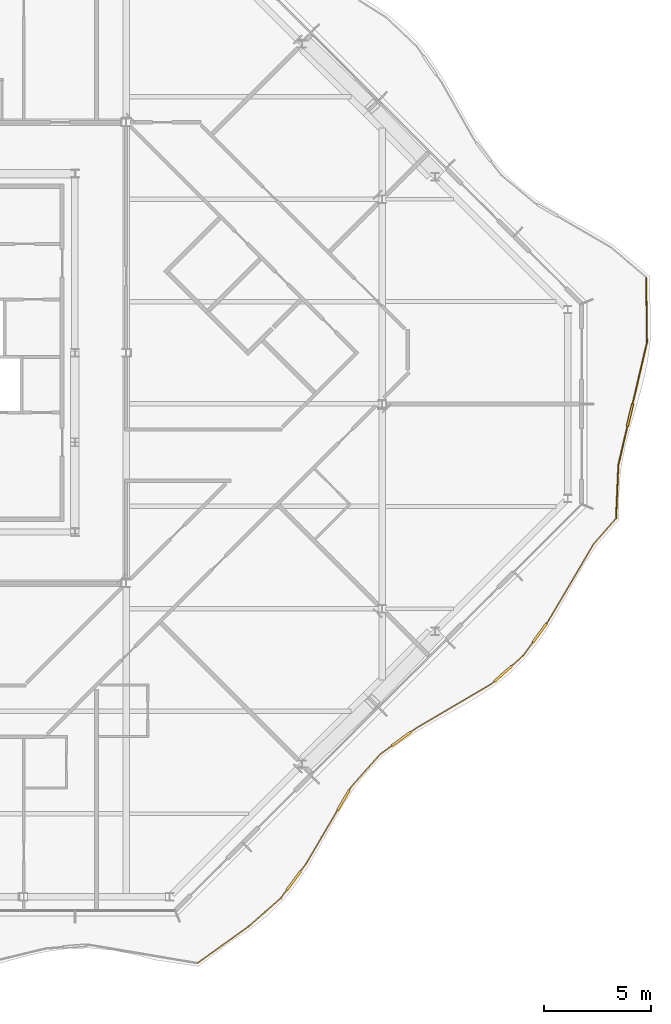
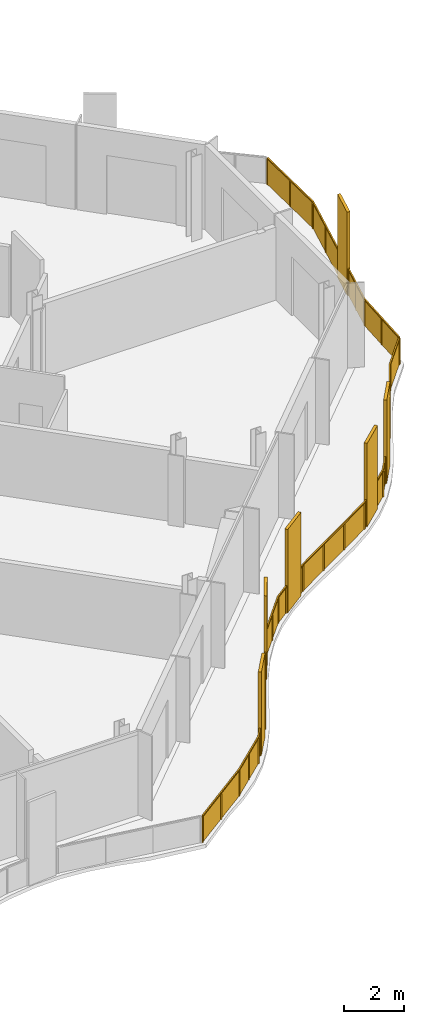
# One storey, part 14 of 16: 2 railings.
"""IFC4 building model written with IfcOpenShell, lengths in metres."""

from ifc_helpers import new_model, si_unit, direction, frame, origin, origin_2d, place, context, subcontext, project, spatial, polyline, rectangle, outline, extrude, material, type_object, element, save


model = new_model("IFC4")

# Units and contexts
model_context = context("Model", 3, precision=1e-05, world=origin(), true_north=direction((0.0, 1.0)))
body_context = subcontext(model_context, "Body", "Model", "MODEL_VIEW")
ifc_project = project(units=[si_unit("LENGTHUNIT", "METRE"), si_unit("AREAUNIT", "SQUARE_METRE"), si_unit("VOLUMEUNIT", "CUBIC_METRE"), si_unit("PLANEANGLEUNIT", "RADIAN"), si_unit("MASSUNIT", "GRAM", prefix="KILO")], contexts=[model_context])

# Site, building, storey
site_placement = place(None, origin())
site = spatial("IfcSite", under=ifc_project, at=site_placement, CompositionType="ELEMENT")
building_placement = place(site_placement, origin())
building = spatial("IfcBuilding", under=site, at=building_placement, Name="Cairn Pilgrim Tower", CompositionType="ELEMENT")
storey_placement = place(building_placement, frame((0.0, 0.0, 285.0)))
storey = spatial("IfcBuildingStorey", under=building, at=storey_placement, Name="L73", CompositionType="ELEMENT", Elevation=285.0)

# Railings
ifc_material = material(Name="Bronze anodised aluminium rail, posts and fin screens with laminated glass infill", Category="aluminium")
railing_type = type_object("IfcRailingType", Name="BALCONY GUARD WITH FIN SCREENS", PredefinedType="GUARDRAIL", material=ifc_material)
railing_1_placement = place(storey_placement, frame((22.5439453125, -26.208984375, 0.0)))
element("IfcRailing", 1, at=railing_1_placement, inside=storey, type_object=railing_type, Name="Balcony guard BGF-2 with fin screens", PredefinedType="GUARDRAIL", context=body_context, shape_type="SweptSolid", body=[
    extrude(rectangle(XDim=0.050048828125, YDim=0.050048828125, at=origin_2d()), frame((0.0, 0.0, 1.0751953125), z_axis=(0.812366784735, 0.583146814326, 0.0), x_axis=(-0.583146814326, 0.812366784735, 0.0)), (0.0, 0.0, 1.0), 2.9619140625),
    extrude(rectangle(XDim=0.050048828125, YDim=0.050048828125, at=origin_2d()), frame((2.40625, 1.727294921875, 1.0751953125), z_axis=(0.751573603464, 0.659649239048, 0.0), x_axis=(-0.659649239048, 0.751573603464, 0.0)), (0.0, 0.0, 1.0), 1.991943359375),
    extrude(rectangle(XDim=1.10009765625, YDim=0.110107421875, at=origin_2d()), frame((4.51806640625, 3.877685546875, 0.0), z_axis=(0.0, 0.0, 1.0), x_axis=(0.592279184354, 0.805732814139, 0.0)), (0.0, 0.0, 1.0), 3.39990234375),
    extrude(rectangle(XDim=0.050048828125, YDim=0.050048828125, at=origin_2d()), frame((3.9033203125, 3.041259765625, 1.0751953125), z_axis=(0.592279184354, 0.805732814139, 0.0), x_axis=(-0.805732814139, 0.592279184354, 0.0)), (0.0, 0.0, 1.0), 0.488037109375),
    extrude(rectangle(XDim=0.050048828125, YDim=0.050048828125, at=origin_2d()), frame((4.84375, 4.32080078125, 1.0751953125), z_axis=(0.592279184354, 0.805732814139, 0.0), x_axis=(-0.805732814139, 0.592279184354, 0.0)), (0.0, 0.0, 1.0), 0.4228515625),
    extrude(rectangle(XDim=1.10009765625, YDim=0.110107421875, at=origin_2d()), frame((6.84619140625, 7.649658203125, 0.0), z_axis=(0.0, 0.0, 1.0), x_axis=(0.505769155406, 0.862668859667, 0.0)), (0.0, 0.0, 1.0), 3.39990234375),
    extrude(rectangle(XDim=0.050048828125, YDim=0.050048828125, at=origin_2d()), frame((5.09423828125, 4.661376953125, 1.0751953125), z_axis=(0.505769155406, 0.862668859667, 0.0), x_axis=(-0.862668859667, 0.505769155406, 0.0)), (0.0, 0.0, 1.0), 2.9140625),
    extrude(rectangle(XDim=0.050048828125, YDim=0.050048828125, at=origin_2d()), frame((7.12451171875, 8.124267578125, 1.0751953125), z_axis=(0.505769155406, 0.862668859667, 0.0), x_axis=(-0.862668859667, 0.505769155406, 0.0)), (0.0, 0.0, 1.0), 0.14990234375),
    extrude(rectangle(XDim=0.050048828125, YDim=0.050048828125, at=origin_2d()), frame((7.2001953125, 8.25341796875, 1.0751953125), z_axis=(0.663415333149, 0.748251358665, 0.0), x_axis=(-0.748251358665, 0.663415333149, 0.0)), (0.0, 0.0, 1.0), 2.046142578125),
    extrude(rectangle(XDim=1.10009765625, YDim=0.110107421875, at=origin_2d()), frame((9.55419921875, 10.5107421875, 0.0), z_axis=(0.0, 0.0, 1.0), x_axis=(0.808161528081, 0.588960902378, 0.0)), (0.0, 0.0, 1.0), 3.39990234375),
    extrude(rectangle(XDim=0.050048828125, YDim=0.050048828125, at=origin_2d()), frame((8.5576171875, 9.784423828125, 1.0751953125), z_axis=(0.808161528081, 0.588960902378, 0.0), x_axis=(-0.588960902378, 0.808161528081, 0.0)), (0.0, 0.0, 1.0), 0.68310546875),
    extrude(rectangle(XDim=0.050048828125, YDim=0.050048828125, at=origin_2d()), frame((9.998779296875, 10.834716796875, 1.0751953125), z_axis=(0.808161528081, 0.588960902378, 0.0), x_axis=(-0.588960902378, 0.808161528081, 0.0)), (0.0, 0.0, 1.0), 0.276123046875),
    extrude(rectangle(XDim=0.050048828125, YDim=0.050048828125, at=origin_2d()), frame((10.221923828125, 10.997314453125, 1.0751953125), z_axis=(0.862253228377, 0.50647741327, 0.0), x_axis=(-0.50647741327, 0.862253228377, 0.0)), (0.0, 0.0, 1.0), 4.14892578125),
    extrude(rectangle(XDim=1.10009765625, YDim=0.110107421875, at=origin_2d()), frame((14.32080078125, 13.565673828125, 0.0), z_axis=(0.0, 0.0, 1.0), x_axis=(0.744993360168, 0.667071880164, 0.0)), (0.0, 0.0, 1.0), 3.39990234375),
    extrude(rectangle(XDim=0.050048828125, YDim=0.050048828125, at=origin_2d()), frame((13.79931640625, 13.0986328125, 1.0751953125), z_axis=(0.744993360168, 0.667071880164, 0.0), x_axis=(-0.667071880164, 0.744993360168, 0.0)), (0.0, 0.0, 1.0), 0.14990234375),
    extrude(rectangle(XDim=0.050048828125, YDim=0.050048828125, at=origin_2d()), frame((14.73046875, 13.932373046875, 1.0751953125), z_axis=(0.744993360168, 0.667071880164, 0.0), x_axis=(-0.667071880164, 0.744993360168, 0.0)), (0.0, 0.0, 1.0), 0.7333984375),
    extrude(rectangle(XDim=1.10009765625, YDim=0.110107421875, at=origin_2d()), frame((16.046142578125, 15.48681640625, 0.0), z_axis=(0.0, 0.0, 1.0), x_axis=(0.58553038865, 0.810650457329, 0.0)), (0.0, 0.0, 1.0), 3.39990234375),
    extrude(rectangle(XDim=0.050048828125, YDim=0.050048828125, at=origin_2d()), frame((15.27685546875, 14.421630859375, 1.0751953125), z_axis=(0.58553038865, 0.810650457329, 0.0), x_axis=(-0.810650457329, 0.58553038865, 0.0)), (0.0, 0.0, 1.0), 0.763916015625),
    extrude(rectangle(XDim=0.050048828125, YDim=0.050048828125, at=origin_2d()), frame((16.3681640625, 15.9326171875, 1.0751953125), z_axis=(0.58553038865, 0.810650457329, 0.0), x_axis=(-0.810650457329, 0.58553038865, 0.0)), (0.0, 0.0, 1.0), 0.14990234375),
    extrude(rectangle(XDim=0.050048828125, YDim=0.050048828125, at=origin_2d()), frame((16.4560546875, 16.05419921875, 1.0751953125), z_axis=(0.507214913746, 0.861819604832, 0.0), x_axis=(-0.861819604832, 0.507214913746, 0.0)), (0.0, 0.0, 1.0), 4.16259765625),
    extrude(rectangle(XDim=0.050048828125, YDim=0.050048828125, at=origin_2d()), frame((18.5673828125, 19.6416015625, 1.0751953125), z_axis=(0.659359050931, 0.751828199761, 0.0), x_axis=(-0.751828199761, 0.659359050931, 0.0)), (0.0, 0.0, 1.0), 1.53662109375),
    extrude(rectangle(XDim=0.050048828125, YDim=0.050048828125, at=origin_2d()), origin(), (0.0, 0.0, 1.0), 1.050048828125),
    extrude(rectangle(XDim=0.050048828125, YDim=0.050048828125, at=origin_2d()), frame((1.203125, 0.86376953125, 0.0)), (0.0, 0.0, 1.0), 1.050048828125),
    extrude(rectangle(XDim=0.050048828125, YDim=0.050048828125, at=origin_2d()), frame((2.40625, 1.727294921875, 0.0)), (0.0, 0.0, 1.0), 1.050048828125),
    extrude(rectangle(XDim=0.050048828125, YDim=0.050048828125, at=origin_2d()), frame((3.15478515625, 2.38427734375, 0.0)), (0.0, 0.0, 1.0), 1.050048828125),
    extrude(rectangle(XDim=0.050048828125, YDim=0.050048828125, at=origin_2d()), frame((3.9033203125, 3.041259765625, 0.0)), (0.0, 0.0, 1.0), 1.050048828125),
    extrude(rectangle(XDim=0.050048828125, YDim=0.050048828125, at=origin_2d()), frame((4.177490234375, 3.414306640625, 0.0)), (0.0, 0.0, 1.0), 1.050048828125),
    extrude(rectangle(XDim=0.050048828125, YDim=0.050048828125, at=origin_2d()), frame((4.858642578125, 4.3408203125, 0.0)), (0.0, 0.0, 1.0), 1.050048828125),
    extrude(rectangle(XDim=0.050048828125, YDim=0.050048828125, at=origin_2d()), frame((5.09423828125, 4.661376953125, 0.0)), (0.0, 0.0, 1.0), 1.050048828125),
    extrude(rectangle(XDim=0.050048828125, YDim=0.050048828125, at=origin_2d()), frame((5.82470703125, 5.907470703125, 0.0)), (0.0, 0.0, 1.0), 1.050048828125),
    extrude(rectangle(XDim=0.050048828125, YDim=0.050048828125, at=origin_2d()), frame((6.555419921875, 7.153564453125, 0.0)), (0.0, 0.0, 1.0), 1.050048828125),
    extrude(rectangle(XDim=0.050048828125, YDim=0.050048828125, at=origin_2d()), frame((7.136962890625, 8.145751953125, 0.0)), (0.0, 0.0, 1.0), 1.050048828125),
    extrude(rectangle(XDim=0.050048828125, YDim=0.050048828125, at=origin_2d()), frame((7.2001953125, 8.25341796875, 0.0)), (0.0, 0.0, 1.0), 1.050048828125),
    extrude(rectangle(XDim=0.050048828125, YDim=0.050048828125, at=origin_2d()), frame((7.87890625, 9.01904296875, 0.0)), (0.0, 0.0, 1.0), 1.050048828125),
    extrude(rectangle(XDim=0.050048828125, YDim=0.050048828125, at=origin_2d()), frame((8.5576171875, 9.784423828125, 0.0)), (0.0, 0.0, 1.0), 1.050048828125),
    extrude(rectangle(XDim=0.050048828125, YDim=0.050048828125, at=origin_2d()), frame((9.089599609375, 10.172119140625, 0.0)), (0.0, 0.0, 1.0), 1.050048828125),
    extrude(rectangle(XDim=0.050048828125, YDim=0.050048828125, at=origin_2d()), frame((10.018798828125, 10.849365234375, 0.0)), (0.0, 0.0, 1.0), 1.050048828125),
    extrude(rectangle(XDim=0.050048828125, YDim=0.050048828125, at=origin_2d()), frame((10.221923828125, 10.997314453125, 0.0)), (0.0, 0.0, 1.0), 1.050048828125),
    extrude(rectangle(XDim=0.050048828125, YDim=0.050048828125, at=origin_2d()), frame((11.414306640625, 11.69775390625, 0.0)), (0.0, 0.0, 1.0), 1.050048828125),
    extrude(rectangle(XDim=0.050048828125, YDim=0.050048828125, at=origin_2d()), frame((12.60693359375, 12.398193359375, 0.0)), (0.0, 0.0, 1.0), 1.050048828125),
    extrude(rectangle(XDim=0.050048828125, YDim=0.050048828125, at=origin_2d()), frame((13.79931640625, 13.0986328125, 0.0)), (0.0, 0.0, 1.0), 1.050048828125),
    extrude(rectangle(XDim=0.050048828125, YDim=0.050048828125, at=origin_2d()), frame((13.892333984375, 13.181884765625, 0.0)), (0.0, 0.0, 1.0), 1.050048828125),
    extrude(rectangle(XDim=0.050048828125, YDim=0.050048828125, at=origin_2d()), frame((14.749267578125, 13.94921875, 0.0)), (0.0, 0.0, 1.0), 1.050048828125),
    extrude(rectangle(XDim=0.050048828125, YDim=0.050048828125, at=origin_2d()), frame((15.27685546875, 14.421630859375, 0.0)), (0.0, 0.0, 1.0), 1.050048828125),
    extrude(rectangle(XDim=0.050048828125, YDim=0.050048828125, at=origin_2d()), frame((15.70947265625, 15.020751953125, 0.0)), (0.0, 0.0, 1.0), 1.050048828125),
    extrude(rectangle(XDim=0.050048828125, YDim=0.050048828125, at=origin_2d()), frame((16.3828125, 15.952880859375, 0.0)), (0.0, 0.0, 1.0), 1.050048828125),
    extrude(rectangle(XDim=0.050048828125, YDim=0.050048828125, at=origin_2d()), frame((16.4560546875, 16.05419921875, 0.0)), (0.0, 0.0, 1.0), 1.050048828125),
    extrude(rectangle(XDim=0.050048828125, YDim=0.050048828125, at=origin_2d()), frame((17.159912109375, 17.25, 0.0)), (0.0, 0.0, 1.0), 1.050048828125),
    extrude(rectangle(XDim=0.050048828125, YDim=0.050048828125, at=origin_2d()), frame((17.863525390625, 18.44580078125, 0.0)), (0.0, 0.0, 1.0), 1.050048828125),
    extrude(rectangle(XDim=0.050048828125, YDim=0.050048828125, at=origin_2d()), frame((18.5673828125, 19.6416015625, 0.0)), (0.0, 0.0, 1.0), 1.050048828125),
    extrude(rectangle(XDim=0.050048828125, YDim=0.050048828125, at=origin_2d()), frame((19.58056640625, 20.796875, 0.0)), (0.0, 0.0, 1.0), 1.050048828125),
    extrude(outline(polyline([(0.02490234375, 0.0), (1.4560546875, 0.0), (1.4560546875, 1.050048828125), (0.02490234375, 1.050048828125), (0.02490234375, 0.0)])), frame((-0.00341796875, 0.0048828125, 0.0), z_axis=(0.583146814326, -0.812366784735, 0.0), x_axis=(0.812366784735, 0.583146814326, 0.0)), (0.0, 0.0, 1.0), 0.011962890625),
    extrude(outline(polyline([(0.02490234375, 0.0), (1.4560546875, 0.0), (1.4560546875, 1.050048828125), (0.02490234375, 1.050048828125), (0.02490234375, 0.0)])), frame((1.19970703125, 0.868408203125, 0.0), z_axis=(0.583146814326, -0.812366784735, 0.0), x_axis=(0.812366784735, 0.583146814326, 0.0)), (0.0, 0.0, 1.0), 0.011962890625),
    extrude(outline(polyline([(0.02490234375, 0.0), (0.970947265625, 0.0), (0.970947265625, 1.050048828125), (0.02490234375, 1.050048828125), (0.02490234375, 0.0)])), frame((2.40234375, 1.731689453125, 0.0), z_axis=(0.659649239048, -0.751573603464, 0.0), x_axis=(0.751573603464, 0.659649239048, 0.0)), (0.0, 0.0, 1.0), 0.011962890625),
    extrude(outline(polyline([(0.02490234375, 0.0), (0.970947265625, 0.0), (0.970947265625, 1.050048828125), (0.02490234375, 1.050048828125), (0.02490234375, 0.0)])), frame((3.15087890625, 2.388671875, 0.0), z_axis=(0.659649239048, -0.751573603464, 0.0), x_axis=(0.751573603464, 0.659649239048, 0.0)), (0.0, 0.0, 1.0), 0.011962890625),
    extrude(outline(polyline([(0.02490234375, 0.0), (0.43798828125, 0.0), (0.43798828125, 1.050048828125), (0.02490234375, 1.050048828125), (0.02490234375, 0.0)])), frame((3.8984375, 3.044921875, 0.0), z_axis=(0.805732814139, -0.592279184354, 0.0), x_axis=(0.592279184354, 0.805732814139, 0.0)), (0.0, 0.0, 1.0), 0.011962890625),
    extrude(outline(polyline([(0.02490234375, 0.0), (0.372802734375, 0.0), (0.372802734375, 1.050048828125), (0.02490234375, 1.050048828125), (0.02490234375, 0.0)])), frame((4.853759765625, 4.344482421875, 0.0), z_axis=(0.805732814139, -0.592279184354, 0.0), x_axis=(0.592279184354, 0.805732814139, 0.0)), (0.0, 0.0, 1.0), 0.011962890625),
    extrude(outline(polyline([(0.02490234375, 0.0), (1.41943359375, 0.0), (1.41943359375, 1.050048828125), (0.02490234375, 1.050048828125), (0.02490234375, 0.0)])), frame((5.089111328125, 4.664306640625, 0.0), z_axis=(0.862668859667, -0.505769155406, 0.0), x_axis=(0.505769155406, 0.862668859667, 0.0)), (0.0, 0.0, 1.0), 0.011962890625),
    extrude(outline(polyline([(0.02490234375, 0.0), (1.41943359375, 0.0), (1.41943359375, 1.050048828125), (0.02490234375, 1.050048828125), (0.02490234375, 0.0)])), frame((5.819580078125, 5.91064453125, 0.0), z_axis=(0.862668859667, -0.505769155406, 0.0), x_axis=(0.505769155406, 0.862668859667, 0.0)), (0.0, 0.0, 1.0), 0.011962890625),
    extrude(outline(polyline([(0.02490234375, 0.0), (0.099853515625, 0.0), (0.099853515625, 1.050048828125), (0.02490234375, 1.050048828125), (0.02490234375, 0.0)])), frame((7.1318359375, 8.148681640625, 0.0), z_axis=(0.862668859667, -0.505769155406, 0.0), x_axis=(0.505769155406, 0.862668859667, 0.0)), (0.0, 0.0, 1.0), 0.011962890625),
    extrude(outline(polyline([(0.02490234375, 0.0), (0.998046875, 0.0), (0.998046875, 1.050048828125), (0.02490234375, 1.050048828125), (0.02490234375, 0.0)])), frame((7.19580078125, 8.25732421875, 0.0), z_axis=(0.748251358665, -0.663415333149, 0.0), x_axis=(0.663415333149, 0.748251358665, 0.0)), (0.0, 0.0, 1.0), 0.011962890625),
    extrude(outline(polyline([(0.02490234375, 0.0), (0.998046875, 0.0), (0.998046875, 1.050048828125), (0.02490234375, 1.050048828125), (0.02490234375, 0.0)])), frame((7.87451171875, 9.02294921875, 0.0), z_axis=(0.748251358665, -0.663415333149, 0.0), x_axis=(0.663415333149, 0.748251358665, 0.0)), (0.0, 0.0, 1.0), 0.011962890625),
    extrude(outline(polyline([(0.02490234375, 0.0), (0.633056640625, 0.0), (0.633056640625, 1.050048828125), (0.02490234375, 1.050048828125), (0.02490234375, 0.0)])), frame((8.55419921875, 9.789306640625, 0.0), z_axis=(0.588960902378, -0.808161528081, 0.0), x_axis=(0.808161528081, 0.588960902378, 0.0)), (0.0, 0.0, 1.0), 0.011962890625),
    extrude(outline(polyline([(0.02490234375, 0.0), (0.22607421875, 0.0), (0.22607421875, 1.050048828125), (0.02490234375, 1.050048828125), (0.02490234375, 0.0)])), frame((10.015380859375, 10.854248046875, 0.0), z_axis=(0.588960902378, -0.808161528081, 0.0), x_axis=(0.808161528081, 0.588960902378, 0.0)), (0.0, 0.0, 1.0), 0.011962890625),
    extrude(outline(polyline([(0.02490234375, 0.0), (1.35791015625, 0.0), (1.35791015625, 1.050048828125), (0.02490234375, 1.050048828125), (0.02490234375, 0.0)])), frame((10.218994140625, 11.00244140625, 0.0), z_axis=(0.50647741327, -0.862253228377, 0.0), x_axis=(0.862253228377, 0.50647741327, 0.0)), (0.0, 0.0, 1.0), 0.011962890625),
    extrude(outline(polyline([(0.02490234375, 0.0), (1.35791015625, 0.0), (1.35791015625, 1.050048828125), (0.02490234375, 1.050048828125), (0.02490234375, 0.0)])), frame((11.411376953125, 11.702880859375, 0.0), z_axis=(0.50647741327, -0.862253228377, 0.0), x_axis=(0.862253228377, 0.50647741327, 0.0)), (0.0, 0.0, 1.0), 0.011962890625),
    extrude(outline(polyline([(0.02490234375, 0.0), (1.35791015625, 0.0), (1.35791015625, 1.050048828125), (0.02490234375, 1.050048828125), (0.02490234375, 0.0)])), frame((12.603759765625, 12.4033203125, 0.0), z_axis=(0.50647741327, -0.862253228377, 0.0), x_axis=(0.862253228377, 0.50647741327, 0.0)), (0.0, 0.0, 1.0), 0.011962890625),
    extrude(outline(polyline([(0.02490234375, 0.0), (0.099853515625, 0.0), (0.099853515625, 1.050048828125), (0.02490234375, 1.050048828125), (0.02490234375, 0.0)])), frame((13.79541015625, 13.10302734375, 0.0), z_axis=(0.667071880164, -0.744993360168, 0.0), x_axis=(0.744993360168, 0.667071880164, 0.0)), (0.0, 0.0, 1.0), 0.011962890625),
    extrude(outline(polyline([(0.02490234375, 0.0), (0.683349609375, 0.0), (0.683349609375, 1.050048828125), (0.02490234375, 1.050048828125), (0.02490234375, 0.0)])), frame((14.7451171875, 13.95361328125, 0.0), z_axis=(0.667071880164, -0.744993360168, 0.0), x_axis=(0.744993360168, 0.667071880164, 0.0)), (0.0, 0.0, 1.0), 0.011962890625),
    extrude(outline(polyline([(0.02490234375, 0.0), (0.7138671875, 0.0), (0.7138671875, 1.050048828125), (0.02490234375, 1.050048828125), (0.02490234375, 0.0)])), frame((15.27197265625, 14.425048828125, 0.0), z_axis=(0.810650457329, -0.58553038865, 0.0), x_axis=(0.58553038865, 0.810650457329, 0.0)), (0.0, 0.0, 1.0), 0.011962890625),
    extrude(outline(polyline([(0.02490234375, 0.0), (0.099853515625, 0.0), (0.099853515625, 1.050048828125), (0.02490234375, 1.050048828125), (0.02490234375, 0.0)])), frame((16.378173828125, 15.95654296875, 0.0), z_axis=(0.810650457329, -0.58553038865, 0.0), x_axis=(0.58553038865, 0.810650457329, 0.0)), (0.0, 0.0, 1.0), 0.011962890625),
    extrude(outline(polyline([(0.02490234375, 0.0), (1.362548828125, 0.0), (1.362548828125, 1.050048828125), (0.02490234375, 1.050048828125), (0.02490234375, 0.0)])), frame((16.450927734375, 16.05712890625, 0.0), z_axis=(0.861819604832, -0.507214913746, 0.0), x_axis=(0.507214913746, 0.861819604832, 0.0)), (0.0, 0.0, 1.0), 0.011962890625),
    extrude(outline(polyline([(0.02490234375, 0.0), (1.362548828125, 0.0), (1.362548828125, 1.050048828125), (0.02490234375, 1.050048828125), (0.02490234375, 0.0)])), frame((17.15478515625, 17.2529296875, 0.0), z_axis=(0.861819604832, -0.507214913746, 0.0), x_axis=(0.507214913746, 0.861819604832, 0.0)), (0.0, 0.0, 1.0), 0.011962890625),
    extrude(outline(polyline([(0.02490234375, 0.0), (1.362548828125, 0.0), (1.362548828125, 1.050048828125), (0.02490234375, 1.050048828125), (0.02490234375, 0.0)])), frame((17.8583984375, 18.44873046875, 0.0), z_axis=(0.861819604832, -0.507214913746, 0.0), x_axis=(0.507214913746, 0.861819604832, 0.0)), (0.0, 0.0, 1.0), 0.011962890625),
    extrude(outline(polyline([(0.02490234375, 0.0), (1.511474609375, 0.0), (1.511474609375, 1.050048828125), (0.02490234375, 1.050048828125), (0.02490234375, 0.0)])), frame((18.56298828125, 19.6455078125, 0.0), z_axis=(0.751828199761, -0.659359050931, 0.0), x_axis=(0.659359050931, 0.751828199761, 0.0)), (0.0, 0.0, 1.0), 0.011962890625),
])
railing_2_placement = place(storey_placement, frame((42.1640625, -5.366943359375, 0.0)))
element("IfcRailing", 2, at=railing_2_placement, inside=storey, type_object=railing_type, Name="Balcony guard BGF-3 with fin screens", PredefinedType="GUARDRAIL", context=body_context, shape_type="SweptSolid", body=[
    extrude(rectangle(XDim=0.050048828125, YDim=0.050048828125, at=origin_2d()), frame((0.0, 0.0, 1.0751953125), z_axis=(0.043289468777, 0.99906257156, 0.0), x_axis=(-0.99906257156, 0.043289468777, 0.0)), (0.0, 0.0, 1.0), 2.509765625),
    extrude(rectangle(XDim=1.10009765625, YDim=0.110107421875, at=origin_2d()), frame((0.652587890625, 4.837890625, 0.0), z_axis=(0.0, 0.0, 1.0), x_axis=(0.227266177223, 0.973832677974, 0.0)), (0.0, 0.0, 1.0), 3.39990234375),
    extrude(rectangle(XDim=0.050048828125, YDim=0.050048828125, at=origin_2d()), frame((0.108642578125, 2.50732421875, 1.0751953125), z_axis=(0.227266177223, 0.973832677974, 0.0), x_axis=(-0.973832677974, 0.227266177223, 0.0)), (0.0, 0.0, 1.0), 1.84326171875),
    extrude(rectangle(XDim=0.050048828125, YDim=0.050048828125, at=origin_2d()), frame((0.777587890625, 5.37353515625, 1.0751953125), z_axis=(0.227266177223, 0.973832677974, 0.0), x_axis=(-0.973832677974, 0.227266177223, 0.0)), (0.0, 0.0, 1.0), 2.96728515625),
    extrude(rectangle(XDim=0.050048828125, YDim=0.050048828125, at=origin_2d()), frame((1.451904296875, 8.26318359375, 1.0751953125), z_axis=(-0.013329967922, 0.999911152031, 0.0), x_axis=(-0.999911152031, -0.013329967922, 0.0)), (0.0, 0.0, 1.0), 2.9853515625),
    extrude(rectangle(XDim=0.050048828125, YDim=0.050048828125, at=origin_2d()), origin(), (0.0, 0.0, 1.0), 1.050048828125),
    extrude(rectangle(XDim=0.050048828125, YDim=0.050048828125, at=origin_2d()), frame((0.05419921875, 1.253662109375, 0.0)), (0.0, 0.0, 1.0), 1.050048828125),
    extrude(rectangle(XDim=0.050048828125, YDim=0.050048828125, at=origin_2d()), frame((0.108642578125, 2.50732421875, 0.0)), (0.0, 0.0, 1.0), 1.050048828125),
    extrude(rectangle(XDim=0.050048828125, YDim=0.050048828125, at=origin_2d()), frame((0.315185546875, 3.392578125, 0.0)), (0.0, 0.0, 1.0), 1.050048828125),
    extrude(rectangle(XDim=0.050048828125, YDim=0.050048828125, at=origin_2d()), frame((0.52197265625, 4.27783203125, 0.0)), (0.0, 0.0, 1.0), 1.050048828125),
    extrude(rectangle(XDim=0.050048828125, YDim=0.050048828125, at=origin_2d()), frame((0.783203125, 5.39794921875, 0.0)), (0.0, 0.0, 1.0), 1.050048828125),
    extrude(rectangle(XDim=0.050048828125, YDim=0.050048828125, at=origin_2d()), frame((1.11767578125, 6.83056640625, 0.0)), (0.0, 0.0, 1.0), 1.050048828125),
    extrude(rectangle(XDim=0.050048828125, YDim=0.050048828125, at=origin_2d()), frame((1.451904296875, 8.26318359375, 0.0)), (0.0, 0.0, 1.0), 1.050048828125),
    extrude(rectangle(XDim=0.050048828125, YDim=0.050048828125, at=origin_2d()), frame((1.43212890625, 9.755859375, 0.0)), (0.0, 0.0, 1.0), 1.050048828125),
    extrude(rectangle(XDim=0.050048828125, YDim=0.050048828125, at=origin_2d()), frame((1.412109375, 11.248291015625, 0.0)), (0.0, 0.0, 1.0), 1.050048828125),
    extrude(outline(polyline([(0.02490234375, 0.0), (1.229736328125, 0.0), (1.229736328125, 1.050048828125), (0.02490234375, 1.050048828125), (0.02490234375, 0.0)])), frame((-0.005859375, 0.000244140625, 0.0), z_axis=(0.99906257156, -0.043289468777, 0.0), x_axis=(0.043289468777, 0.99906257156, 0.0)), (0.0, 0.0, 1.0), 0.011962890625),
    extrude(outline(polyline([(0.02490234375, 0.0), (1.229736328125, 0.0), (1.229736328125, 1.050048828125), (0.02490234375, 1.050048828125), (0.02490234375, 0.0)])), frame((0.04833984375, 1.25390625, 0.0), z_axis=(0.99906257156, -0.043289468777, 0.0), x_axis=(0.043289468777, 0.99906257156, 0.0)), (0.0, 0.0, 1.0), 0.011962890625),
    extrude(outline(polyline([(0.02490234375, 0.0), (0.884033203125, 0.0), (0.884033203125, 1.050048828125), (0.02490234375, 1.050048828125), (0.02490234375, 0.0)])), frame((0.102783203125, 2.5087890625, 0.0), z_axis=(0.973832677974, -0.227266177223, 0.0), x_axis=(0.227266177223, 0.973832677974, 0.0)), (0.0, 0.0, 1.0), 0.011962890625),
    extrude(outline(polyline([(0.02490234375, 0.0), (0.884033203125, 0.0), (0.884033203125, 1.050048828125), (0.02490234375, 1.050048828125), (0.02490234375, 0.0)])), frame((0.309326171875, 3.39404296875, 0.0), z_axis=(0.973832677974, -0.227266177223, 0.0), x_axis=(0.227266177223, 0.973832677974, 0.0)), (0.0, 0.0, 1.0), 0.011962890625),
    extrude(outline(polyline([(0.02490234375, 0.0), (1.446044921875, 0.0), (1.446044921875, 1.050048828125), (0.02490234375, 1.050048828125), (0.02490234375, 0.0)])), frame((0.77734375, 5.399169921875, 0.0), z_axis=(0.973832677974, -0.227266177223, 0.0), x_axis=(0.227266177223, 0.973832677974, 0.0)), (0.0, 0.0, 1.0), 0.011962890625),
    extrude(outline(polyline([(0.02490234375, 0.0), (1.446044921875, 0.0), (1.446044921875, 1.050048828125), (0.02490234375, 1.050048828125), (0.02490234375, 0.0)])), frame((1.11181640625, 6.831787109375, 0.0), z_axis=(0.973832677974, -0.227266177223, 0.0), x_axis=(0.227266177223, 0.973832677974, 0.0)), (0.0, 0.0, 1.0), 0.011962890625),
    extrude(outline(polyline([(0.02490234375, 0.0), (1.4677734375, 0.0), (1.4677734375, 1.050048828125), (0.02490234375, 1.050048828125), (0.02490234375, 0.0)])), frame((1.446044921875, 8.26318359375, 0.0), z_axis=(0.999911152031, 0.013329967922, 0.0), x_axis=(-0.013329967922, 0.999911152031, 0.0)), (0.0, 0.0, 1.0), 0.011962890625),
    extrude(outline(polyline([(0.02490234375, 0.0), (1.4677734375, 0.0), (1.4677734375, 1.050048828125), (0.02490234375, 1.050048828125), (0.02490234375, 0.0)])), frame((1.426025390625, 9.755615234375, 0.0), z_axis=(0.999911152031, 0.013329967922, 0.0), x_axis=(-0.013329967922, 0.999911152031, 0.0)), (0.0, 0.0, 1.0), 0.011962890625),
])

save(model, "model.ifc")
